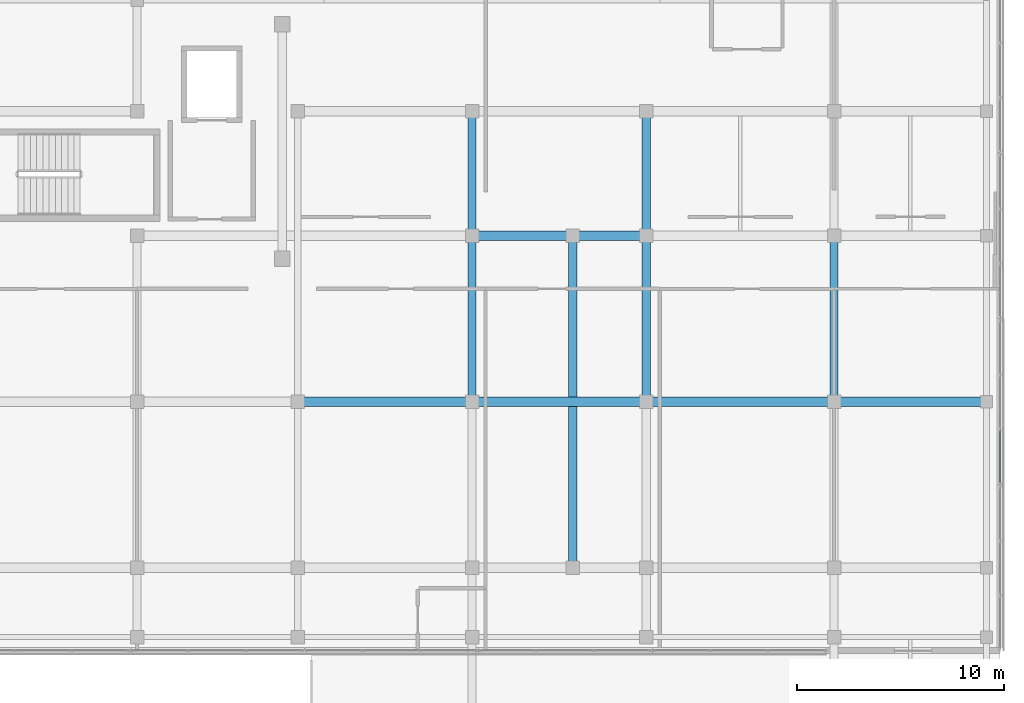
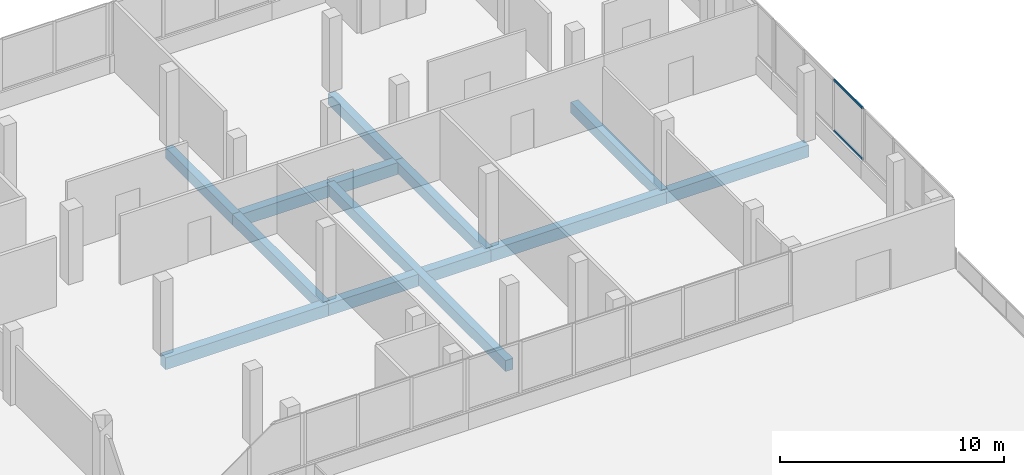
# One storey, part 53 of 76: 12 beams, 2 members, 1 element without a shape of its own.
"""IFC4 building model written with IfcOpenShell, lengths in metres."""

from ifc_helpers import new_model, si_unit, direction, frame, origin, origin_2d, place, context, subcontext, project, spatial, rectangle, hollow_rectangle, extrude, material, material_profile, profile_set, type_object, element, aggregate, save


model = new_model("IFC4")

# Units and contexts
model_context = context("Model", 3, precision=1e-05, world=origin(), true_north=direction((0.0, 1.0)))
body_context = subcontext(model_context, "Body", "Model", "MODEL_VIEW")
ifc_project = project(units=[si_unit("LENGTHUNIT", "METRE"), si_unit("AREAUNIT", "SQUARE_METRE"), si_unit("VOLUMEUNIT", "CUBIC_METRE"), si_unit("PLANEANGLEUNIT", "RADIAN"), si_unit("MASSUNIT", "GRAM", prefix="KILO")], contexts=[model_context])

# Site, building, storey
site_placement = place(None, origin())
site = spatial("IfcSite", under=ifc_project, at=site_placement, CompositionType="ELEMENT")
building_placement = place(site_placement, origin())
building = spatial("IfcBuilding", under=site, at=building_placement, Name="Selatvlak General Hospital", CompositionType="ELEMENT")
storey_placement = place(building_placement, frame((0.0, 0.0, 27.300048828125)))
storey = spatial("IfcBuildingStorey", under=building, at=storey_placement, Name="L06", CompositionType="ELEMENT", Elevation=27.300048828125)

# Beams
ifc_material_1 = material(Name="Concrete C40/50", Category="concrete")
ifc_material_profile_1 = material_profile(ifc_material_1, rectangle(XDim=0.449951171875, YDim=0.64990234375, at=origin_2d()), Name="RC-BM 450x650")
ifc_profile_set_1 = profile_set([ifc_material_profile_1], Name="Concrete C40/50")
beam_type_1 = type_object("IfcBeamType", Name="BM-G04", PredefinedType="BEAM", material=ifc_profile_set_1)
beam_1_placement = place(storey_placement, frame((148.14990234375, 100.0, -0.60009765625), z_axis=(1.0, 0.0, 0.0), x_axis=(0.0, 1.0, 0.0)))
element("IfcBeam", 1, at=beam_1_placement, inside=storey, type_object=beam_type_1, Name="Beam BMR-L06-2197", PredefinedType="BEAM", context=body_context, shape_type="SweptSolid", body=[
    extrude(rectangle(XDim=0.449951171875, YDim=0.64990234375, at=origin_2d()), origin(), (0.0, 0.0, 1.0), 8.400146484375),
])
beam_2_placement = place(storey_placement, frame((156.550048828125, 100.0, -0.60009765625), z_axis=(1.0, 0.0, 0.0), x_axis=(0.0, 1.0, 0.0)))
element("IfcBeam", 2, at=beam_2_placement, inside=storey, type_object=beam_type_1, Name="Beam BMR-L06-2198", PredefinedType="BEAM", context=body_context, shape_type="SweptSolid", body=[
    extrude(rectangle(XDim=0.449951171875, YDim=0.64990234375, at=origin_2d()), origin(), (0.0, 0.0, 1.0), 8.39990234375),
])
beam_3_placement = place(storey_placement, frame((164.949951171875, 100.0, -0.60009765625), z_axis=(1.0, 0.0, 0.0), x_axis=(0.0, 1.0, 0.0)))
element("IfcBeam", 3, at=beam_3_placement, inside=storey, type_object=beam_type_1, Name="Beam BMR-L06-2199", PredefinedType="BEAM", context=body_context, shape_type="SweptSolid", body=[
    extrude(rectangle(XDim=0.449951171875, YDim=0.64990234375, at=origin_2d()), origin(), (0.0, 0.0, 1.0), 9.050048828125),
])
beam_4_placement = place(storey_placement, frame((174.0, 100.0, -0.60009765625), z_axis=(1.0, 0.0, 0.0), x_axis=(0.0, 1.0, 0.0)))
element("IfcBeam", 4, at=beam_4_placement, inside=storey, type_object=beam_type_1, Name="Beam BMR-L06-2200", PredefinedType="BEAM", context=body_context, shape_type="SweptSolid", body=[
    extrude(rectangle(XDim=0.449951171875, YDim=0.64990234375, at=origin_2d()), origin(), (0.0, 0.0, 1.0), 7.35009765625),
])
beam_5_placement = place(storey_placement, frame((156.550048828125, 108.0, -0.60009765625), z_axis=(1.0, 0.0, 0.0), x_axis=(0.0, 1.0, 0.0)))
element("IfcBeam", 5, at=beam_5_placement, inside=storey, type_object=beam_type_1, Name="Beam BMR-L06-2214", PredefinedType="BEAM", context=body_context, shape_type="SweptSolid", body=[
    extrude(rectangle(XDim=0.449951171875, YDim=0.64990234375, at=origin_2d()), origin(), (0.0, 0.0, 1.0), 4.849853515625),
])
beam_6_placement = place(storey_placement, frame((161.39990234375, 108.0, -0.60009765625), z_axis=(1.0, 0.0, 0.0), x_axis=(0.0, 1.0, 0.0)))
element("IfcBeam", 6, at=beam_6_placement, inside=storey, type_object=beam_type_1, Name="Beam BMR-L06-2215", PredefinedType="BEAM", context=body_context, shape_type="SweptSolid", body=[
    extrude(rectangle(XDim=0.449951171875, YDim=0.64990234375, at=origin_2d()), origin(), (0.0, 0.0, 1.0), 3.550048828125),
])
ifc_material_profile_2 = material_profile(ifc_material_1, rectangle(XDim=0.39990234375, YDim=0.60009765625, at=origin_2d()), Name="RC-BM 400x600")
ifc_profile_set_2 = profile_set([ifc_material_profile_2], Name="Concrete C40/50")
beam_type_2 = type_object("IfcBeamType", Name="BM-G05", PredefinedType="BEAM", material=ifc_profile_set_2)
beam_7_placement = place(storey_placement, frame((156.550048828125, 100.0, -0.574951171875), z_axis=(0.0, 1.0, 0.0), x_axis=(-1.0, 0.0, 0.0)))
element("IfcBeam", 7, at=beam_7_placement, inside=storey, type_object=beam_type_2, Name="Beam BMR-L06-2324", PredefinedType="BEAM", context=body_context, shape_type="SweptSolid", body=[
    extrude(rectangle(XDim=0.39990234375, YDim=0.60009765625, at=origin_2d()), origin(), (0.0, 0.0, 1.0), 8.0),
])
beam_8_placement = place(storey_placement, frame((156.550048828125, 108.0, -0.574951171875), z_axis=(0.0, 1.0, 0.0), x_axis=(-1.0, 0.0, 0.0)))
element("IfcBeam", 8, at=beam_8_placement, inside=storey, type_object=beam_type_2, Name="Beam BMR-L06-2325", PredefinedType="BEAM", context=body_context, shape_type="SweptSolid", body=[
    extrude(rectangle(XDim=0.39990234375, YDim=0.60009765625, at=origin_2d()), origin(), (0.0, 0.0, 1.0), 6.0),
])
beam_9_placement = place(storey_placement, frame((161.39990234375, 92.0, -0.574951171875), z_axis=(0.0, 1.0, 0.0), x_axis=(-1.0, 0.0, 0.0)))
element("IfcBeam", 9, at=beam_9_placement, inside=storey, type_object=beam_type_2, Name="Beam BMR-L06-2326", PredefinedType="BEAM", context=body_context, shape_type="SweptSolid", body=[
    extrude(rectangle(XDim=0.39990234375, YDim=0.60009765625, at=origin_2d()), origin(), (0.0, 0.0, 1.0), 16.0),
])
beam_10_placement = place(storey_placement, frame((164.949951171875, 100.0, -0.574951171875), z_axis=(0.0, 1.0, 0.0), x_axis=(-1.0, 0.0, 0.0)))
element("IfcBeam", 10, at=beam_10_placement, inside=storey, type_object=beam_type_2, Name="Beam BMR-L06-2332", PredefinedType="BEAM", context=body_context, shape_type="SweptSolid", body=[
    extrude(rectangle(XDim=0.39990234375, YDim=0.60009765625, at=origin_2d()), origin(), (0.0, 0.0, 1.0), 8.0),
])
beam_11_placement = place(storey_placement, frame((164.949951171875, 108.0, -0.574951171875), z_axis=(0.0, 1.0, 0.0), x_axis=(-1.0, 0.0, 0.0)))
element("IfcBeam", 11, at=beam_11_placement, inside=storey, type_object=beam_type_2, Name="Beam BMR-L06-2333", PredefinedType="BEAM", context=body_context, shape_type="SweptSolid", body=[
    extrude(rectangle(XDim=0.39990234375, YDim=0.60009765625, at=origin_2d()), origin(), (0.0, 0.0, 1.0), 6.0),
])
beam_12_placement = place(storey_placement, frame((174.0, 100.0, -0.574951171875), z_axis=(0.0, 1.0, 0.0), x_axis=(-1.0, 0.0, 0.0)))
element("IfcBeam", 12, at=beam_12_placement, inside=storey, type_object=beam_type_2, Name="Beam BMR-L06-2341", PredefinedType="BEAM", context=body_context, shape_type="SweptSolid", body=[
    extrude(rectangle(XDim=0.39990234375, YDim=0.60009765625, at=origin_2d()), origin(), (0.0, 0.0, 1.0), 8.0),
])

# Curtain wall, members
ifc_material_2 = material(Name="Solar-control Low-E double glazing", Category="glass")
curtain_wall_type = type_object("IfcCurtainWallType", Name="CW-CW-02", PredefinedType="USERDEFINED", material=ifc_material_2)
curtain_wall_placement = place(storey_placement, origin())
curtain_wall = element("IfcCurtainWall", 13, at=curtain_wall_placement, inside=storey, type_object=curtain_wall_type, Name="Glazed facade curtain wall CW-L06-0619", ObjectType="UNITISED CURTAIN WALL", PredefinedType="USERDEFINED")
ifc_material_3 = material(Name="Dark anodised aluminium mullion", Category="aluminium")
ifc_material_profile_3 = material_profile(ifc_material_3, hollow_rectangle(XDim=0.06494140625, YDim=0.1201171875, WallThickness=0.00390625, at=origin_2d()), Name="AL-TRN 65x120x4")
ifc_profile_set_3 = profile_set([ifc_material_profile_3], Name="Dark anodised aluminium mullion")
member_type = type_object("IfcMemberType", Name="CWT-01", PredefinedType="USERDEFINED", material=ifc_profile_set_3)
member_1_placement = place(storey_placement, frame((182.0, 98.62353515625, 0.972412109375), z_axis=(0.0, -1.0, 0.0), x_axis=(1.0, 0.0, 0.0)))
member_1 = element("IfcMember", 14, at=member_1_placement, type_object=member_type, Name="CW-02 transom 3.1", ObjectType="TRANSOM", PredefinedType="USERDEFINED", context=body_context, shape_type="SweptSolid", body=[
    extrude(hollow_rectangle(XDim=0.06494140625, YDim=0.1201171875, WallThickness=0.00390625, at=origin_2d()), origin(), (0.0, 0.0, 1.0), 2.54248046875),
])
member_2_placement = place(storey_placement, frame((182.0, 98.62353515625, 3.74755859375), z_axis=(0.0, -1.0, 0.0), x_axis=(1.0, 0.0, 0.0)))
member_2 = element("IfcMember", 15, at=member_2_placement, type_object=member_type, Name="CW-02 transom 3.2", ObjectType="TRANSOM", PredefinedType="USERDEFINED", context=body_context, shape_type="SweptSolid", body=[
    extrude(hollow_rectangle(XDim=0.06494140625, YDim=0.1201171875, WallThickness=0.00390625, at=origin_2d()), origin(), (0.0, 0.0, 1.0), 2.54248046875),
])
aggregate(curtain_wall, [member_1, member_2])

save(model, "model.ifc")
